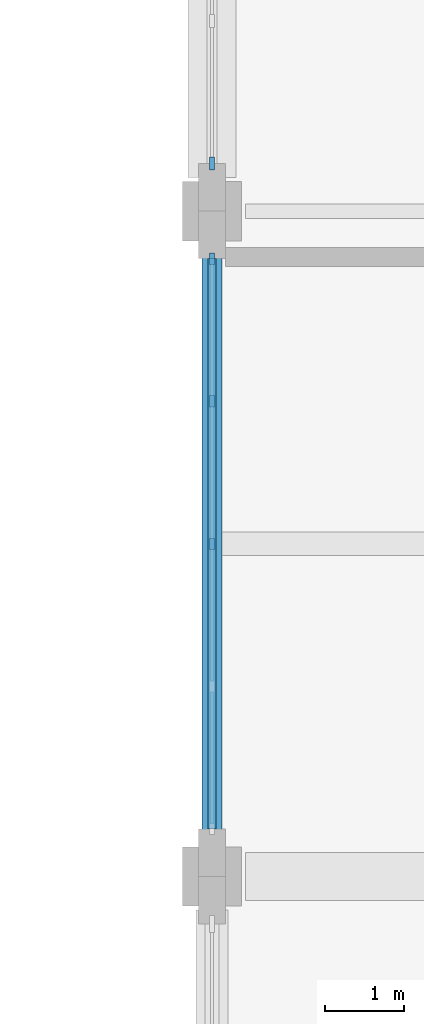
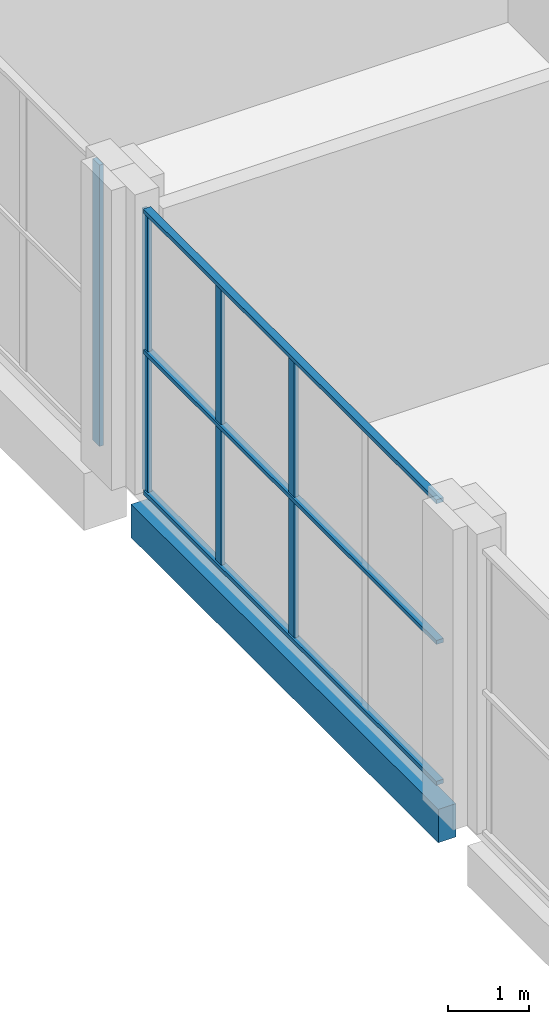
# One storey, part 32 of 75: 7 members, 1 beam, 2 elements without a shape of their own.
"""IFC4 building model written with IfcOpenShell, lengths in metres."""

from ifc_helpers import new_model, si_unit, derived_unit, direction, frame, origin, origin_2d, place, context, subcontext, project, spatial, rectangle, extrude, material, material_profile, profile_set, type_object, element, aggregate, save


model = new_model("IFC4")

# Units and contexts
model_context = context("Model", 3, precision=1e-05, world=origin(), true_north=direction((0.0, 1.0)))
body_context = subcontext(model_context, "Body", "Model", "MODEL_VIEW")
ifc_project = project(units=[si_unit("LENGTHUNIT", "METRE"), si_unit("AREAUNIT", "SQUARE_METRE"), si_unit("VOLUMEUNIT", "CUBIC_METRE"), si_unit("PLANEANGLEUNIT", "RADIAN"), si_unit("MASSUNIT", "GRAM", prefix="KILO"), derived_unit("THERMALTRANSMITTANCEUNIT", [(si_unit("POWERUNIT", "WATT"), 1), (si_unit("LENGTHUNIT", "METRE"), -2), (si_unit("THERMODYNAMICTEMPERATUREUNIT", "KELVIN"), -1)])], contexts=[model_context])

# Site, building, storey
site_placement = place(None, origin())
site = spatial("IfcSite", under=ifc_project, at=site_placement, CompositionType="ELEMENT")
building_placement = place(site_placement, origin())
building = spatial("IfcBuilding", under=site, at=building_placement, Name="Barrovel Congress Hotel", CompositionType="ELEMENT")
storey_placement = place(building_placement, frame((0.0, 0.0, 5.39990234375)))
storey = spatial("IfcBuildingStorey", under=building, at=storey_placement, Name="L01", CompositionType="ELEMENT", Elevation=5.39990234375)

# Beam
ifc_material_1 = material(Name="Concrete C40", Category="concrete")
ifc_material_profile_1 = material_profile(ifc_material_1, rectangle(XDim=0.25, YDim=0.5, at=origin_2d()), Name="RC250x500")
ifc_profile_set_1 = profile_set([ifc_material_profile_1], Name="Concrete C40")
beam_type = type_object("IfcBeamType", Name="BM-RC250x500", PredefinedType="SPANDREL", material=ifc_profile_set_1)
beam_placement = place(storey_placement, frame((126.0, 55.02490234375, -0.510009765625), z_axis=(0.0, 1.0, 0.0), x_axis=(-1.0, 0.0, 0.0)))
element("IfcBeam", 1, at=beam_placement, inside=storey, type_object=beam_type, Name="BMY:L01:126.0:54.6-63.0", PredefinedType="SPANDREL", context=body_context, shape_type="SweptSolid", body=[
    extrude(rectangle(XDim=0.25, YDim=0.5, at=origin_2d()), origin(), (0.0, 0.0, 1.0), 7.550048828125),
])

# Curtain wall, members
ifc_material_2 = material(Name="Anodised Aluminium Alloy 6063-T6", Category="aluminium")
curtain_wall_type = type_object("IfcCurtainWallType", Name="CW-ST-7200x3600", PredefinedType="USERDEFINED", material=ifc_material_2)
curtain_wall_1_placement = place(storey_placement, origin())
curtain_wall_1 = element("IfcCurtainWall", 2, at=curtain_wall_1_placement, inside=storey, type_object=curtain_wall_type, Name="CW:L01:CE:54.6", ObjectType="STICK CURTAIN WALL", PredefinedType="USERDEFINED")
ifc_material_profile_2 = material_profile(ifc_material_2, rectangle(XDim=0.06005859375, YDim=0.139892578125, at=origin_2d()), Name="AL-M60x140")
ifc_profile_set_2 = profile_set([ifc_material_profile_2], Name="Anodised Aluminium Alloy 6063-T6")
member_type_1 = type_object("IfcMemberType", Name="CWM-AL-M60x140", PredefinedType="MULLION", material=ifc_profile_set_2)
member_1_placement = place(storey_placement, frame((126.0, 62.39990234375, 0.0), z_axis=(0.0, 0.0, 1.0), x_axis=(1.0, 0.0, 0.0)))
member_1 = element("IfcMember", 3, at=member_1_placement, type_object=member_type_1, Name="CW:L01:CE:54.6:M0", PredefinedType="MULLION", context=body_context, shape_type="SweptSolid", body=[
    extrude(rectangle(XDim=0.06005859375, YDim=0.139892578125, at=origin_2d()), origin(), (0.0, 0.0, 1.0), 4.22021484375),
])
member_2_placement = place(storey_placement, frame((126.0, 60.60009765625, 0.0), z_axis=(0.0, 0.0, 1.0), x_axis=(1.0, 0.0, 0.0)))
member_2 = element("IfcMember", 4, at=member_2_placement, type_object=member_type_1, Name="CW:L01:CE:54.6:M1", PredefinedType="MULLION", context=body_context, shape_type="SweptSolid", body=[
    extrude(rectangle(XDim=0.06005859375, YDim=0.139892578125, at=origin_2d()), origin(), (0.0, 0.0, 1.0), 4.22021484375),
])
member_3_placement = place(storey_placement, frame((126.0, 58.800048828125, 0.0), z_axis=(0.0, 0.0, 1.0), x_axis=(1.0, 0.0, 0.0)))
member_3 = element("IfcMember", 5, at=member_3_placement, type_object=member_type_1, Name="CW:L01:CE:54.6:M2", PredefinedType="MULLION", context=body_context, shape_type="SweptSolid", body=[
    extrude(rectangle(XDim=0.06005859375, YDim=0.139892578125, at=origin_2d()), origin(), (0.0, 0.0, 1.0), 4.22021484375),
])

# Curtain wall, member
curtain_wall_2_placement = place(storey_placement, origin())
curtain_wall_2 = element("IfcCurtainWall", 6, at=curtain_wall_2_placement, inside=storey, type_object=curtain_wall_type, Name="CW:L01:CE:63.0", ObjectType="STICK CURTAIN WALL", PredefinedType="USERDEFINED")
ifc_material_profile_3 = material_profile(ifc_material_2, rectangle(XDim=0.06005859375, YDim=0.1650390625, at=origin_2d()), Name="AL-M60x165")
ifc_profile_set_3 = profile_set([ifc_material_profile_3], Name="Anodised Aluminium Alloy 6063-T6")
member_type_2 = type_object("IfcMemberType", Name="CWM-AL-M60x165", PredefinedType="MULLION", material=ifc_profile_set_3)
member_4_placement = place(storey_placement, frame((126.0, 63.60009765625, 0.0), z_axis=(0.0, 0.0, 1.0), x_axis=(1.0, 0.0, 0.0)))
member_4 = element("IfcMember", 7, at=member_4_placement, type_object=member_type_2, Name="CW:L01:CE:63.0:M4", PredefinedType="MULLION", context=body_context, shape_type="SweptSolid", body=[
    extrude(rectangle(XDim=0.06005859375, YDim=0.1650390625, at=origin_2d()), origin(), (0.0, 0.0, 1.0), 4.22021484375),
])
aggregate(curtain_wall_2, [member_4])

# Member
ifc_material_profile_4 = material_profile(ifc_material_2, rectangle(XDim=0.10498046875, YDim=0.06005859375, at=origin_2d()), Name="AL-T60x105")
ifc_profile_set_4 = profile_set([ifc_material_profile_4], Name="Anodised Aluminium Alloy 6063-T6")
member_type_3 = type_object("IfcMemberType", Name="CWT-AL-T60x105", PredefinedType="USERDEFINED", material=ifc_profile_set_4)
member_5_placement = place(storey_placement, frame((126.0, 62.39990234375, 0.0), z_axis=(0.0, -1.0, 0.0), x_axis=(1.0, 0.0, 0.0)))
member_5 = element("IfcMember", 8, at=member_5_placement, type_object=member_type_3, Name="CW:L01:CE:54.6:T0", ObjectType="TRANSOM", PredefinedType="USERDEFINED", context=body_context, shape_type="SweptSolid", body=[
    extrude(rectangle(XDim=0.10498046875, YDim=0.06005859375, at=origin_2d()), origin(), (0.0, 0.0, 1.0), 7.199951171875),
])

member_6_placement = place(storey_placement, frame((126.0, 62.39990234375, 2.110107421875), z_axis=(0.0, -1.0, 0.0), x_axis=(1.0, 0.0, 0.0)))
member_6 = element("IfcMember", 9, at=member_6_placement, type_object=member_type_3, Name="CW:L01:CE:54.6:T1", ObjectType="TRANSOM", PredefinedType="USERDEFINED", context=body_context, shape_type="SweptSolid", body=[
    extrude(rectangle(XDim=0.10498046875, YDim=0.06005859375, at=origin_2d()), origin(), (0.0, 0.0, 1.0), 7.199951171875),
])

member_7_placement = place(storey_placement, frame((126.0, 62.39990234375, 4.22021484375), z_axis=(0.0, -1.0, 0.0), x_axis=(1.0, 0.0, 0.0)))
member_7 = element("IfcMember", 10, at=member_7_placement, type_object=member_type_3, Name="CW:L01:CE:54.6:T2", ObjectType="TRANSOM", PredefinedType="USERDEFINED", context=body_context, shape_type="SweptSolid", body=[
    extrude(rectangle(XDim=0.10498046875, YDim=0.06005859375, at=origin_2d()), origin(), (0.0, 0.0, 1.0), 7.199951171875),
])

aggregate(curtain_wall_1, [member_1, member_2, member_3, member_5, member_6, member_7])

save(model, "model.ifc")
